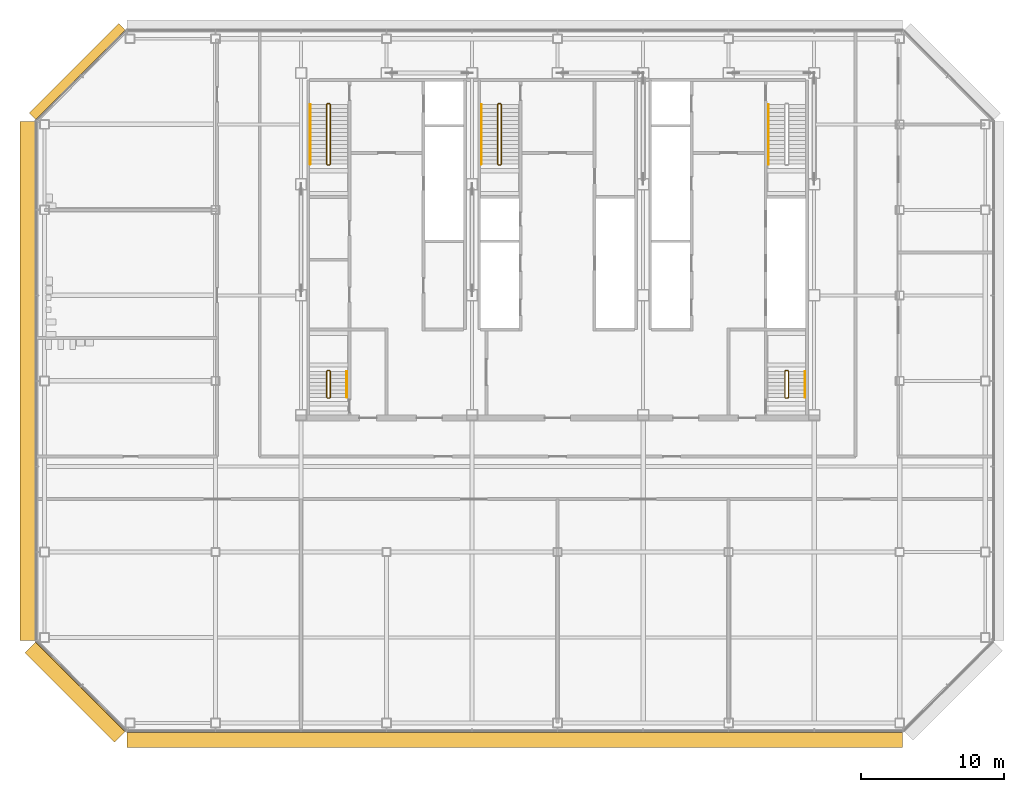
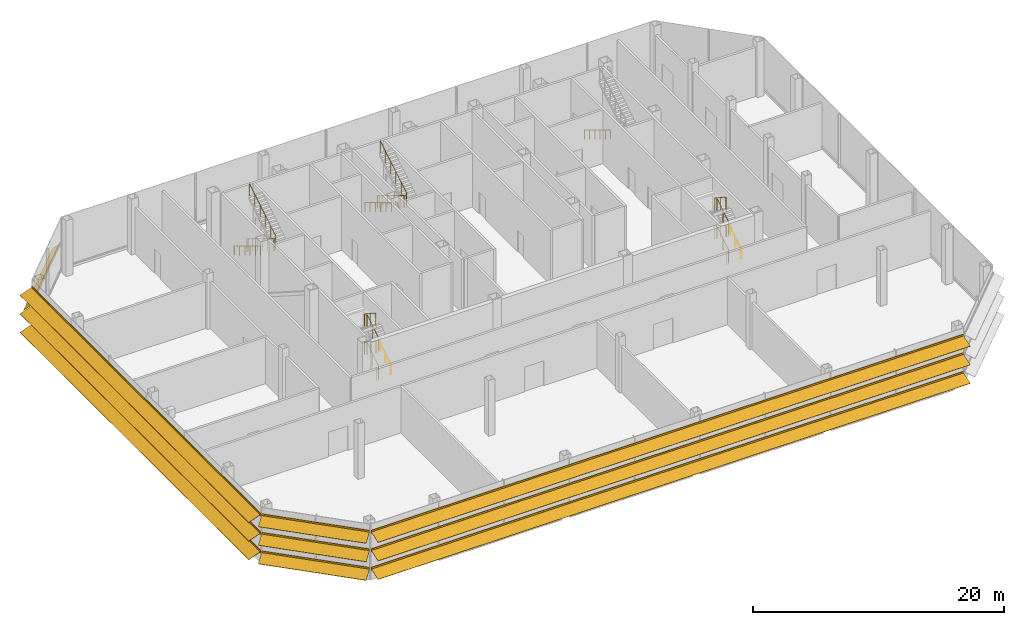
# One storey, part 23 of 25: 11 railings, 4 shading devices.
"""IFC4 building model written with IfcOpenShell, lengths in metres."""

import ifcopenshell
import ifcopenshell.guid

model = None  # the IFC model being written
_history = None  # IfcOwnerHistory: only IFC2X3 demands one
_inside = {}  # id of a spatial element -> (the spatial element, [elements in it])
_under = {}  # id of a project, library or spatial element -> (it, [spatial elements below it])
_declared = {}  # id of a project -> (the project, [libraries it declares])
_typed = {}  # id of a type object -> (the type object, [elements of that type])
_made_of = {}  # id of a material, layer set ... -> (it, [elements and type objects made of it])


def new_model(schema):
    """Start an empty IFC model of exactly this schema.

    Asked for "IFC4X3", IfcOpenShell would pick the latest addendum, in which some entities
    have other attributes; the version numbers below select the first issue.
    IFC2X3 requires an IfcOwnerHistory on every rooted entity: one is made here for all.
    """
    global model, _history
    if schema == "IFC4X3":
        model = ifcopenshell.file(schema_version=(4, 3, 0, 0))
    else:
        model = ifcopenshell.file(schema=schema)
    _inside.clear()
    _under.clear()
    _declared.clear()
    _typed.clear()
    _made_of.clear()
    _history = None
    if model.schema == "IFC2X3":
        org = make("IfcOrganization", Name="unknown")
        user = make(
            "IfcPersonAndOrganization",
            ThePerson=make("IfcPerson", FamilyName="unknown"),
            TheOrganization=org,
        )
        app = make(
            "IfcApplication",
            ApplicationDeveloper=org,
            Version="unknown",
            ApplicationFullName="unknown",
            ApplicationIdentifier="unknown",
        )
        _history = make(
            "IfcOwnerHistory",
            OwningUser=user,
            OwningApplication=app,
            ChangeAction="ADDED",
            CreationDate=0,
        )
    return model


def make(cls, **values):
    """One entity of the class cls with the attributes given. An attribute that is None is left unset."""
    return model.create_entity(
        cls, **{name: value for name, value in values.items() if value is not None}
    )


def rooted(cls, **values):
    """An entity with a GlobalId (a new one), such as an element, a storey or a relation."""
    return make(cls, GlobalId=ifcopenshell.guid.new(), OwnerHistory=_history, **values)


def si_unit(unit_type, name, prefix=None):
    """IfcSIUnit, for example si_unit("LENGTHUNIT", "METRE", prefix="MILLI")."""
    return make("IfcSIUnit", UnitType=unit_type, Prefix=prefix, Name=name)


def assignment(units):
    """IfcUnitAssignment: the units of a project."""
    return None if units is None else make("IfcUnitAssignment", Units=units)


def point(xyz):
    """IfcCartesianPoint."""
    return None if xyz is None else make("IfcCartesianPoint", Coordinates=xyz)


def direction(xyz):
    """IfcDirection."""
    return None if xyz is None else make("IfcDirection", DirectionRatios=xyz)


def frame(location, z_axis=None, x_axis=None):
    """IfcAxis2Placement3D, a coordinate frame: its origin and axes. An axis left out is left unset."""
    return make(
        "IfcAxis2Placement3D",
        Location=point(location),
        Axis=direction(z_axis),
        RefDirection=direction(x_axis),
    )


def frame_2d(location, x_axis=None):
    """IfcAxis2Placement2D, a coordinate frame in the plane: its origin and x axis."""
    return make(
        "IfcAxis2Placement2D", Location=point(location), RefDirection=direction(x_axis)
    )


def origin():
    """The frame at (0, 0, 0) with its axes left unset."""
    return frame((0.0, 0.0, 0.0))


def origin_2d():
    """The frame at (0, 0) in the plane with its x axis left unset."""
    return frame_2d((0.0, 0.0))


def place(relative_to, where):
    """IfcLocalPlacement: puts the frame where relative to a parent placement (None: the world)."""
    return make(
        "IfcLocalPlacement", PlacementRelTo=relative_to, RelativePlacement=where
    )


def context(
    kind, dimensions, precision=None, world=None, true_north=None, identifier=None
):
    """IfcGeometricRepresentationContext, for example the 3D "Model" context."""
    return make(
        "IfcGeometricRepresentationContext",
        ContextIdentifier=identifier,
        ContextType=kind,
        CoordinateSpaceDimension=dimensions,
        Precision=precision,
        WorldCoordinateSystem=world,
        TrueNorth=true_north,
    )


def subcontext(parent, identifier, kind, view, scale=None):
    """IfcGeometricRepresentationSubContext, for example "Body" below "Model"."""
    return make(
        "IfcGeometricRepresentationSubContext",
        ContextIdentifier=identifier,
        ContextType=kind,
        ParentContext=parent,
        TargetScale=scale,
        TargetView=view,
    )


def project(units=None, contexts=None):
    """IfcProject with its units and contexts."""
    return rooted(
        "IfcProject",
        Name="project",
        RepresentationContexts=contexts,
        UnitsInContext=assignment(units),
    )


def spatial(cls, under=None, at=None, **own):
    """A site, building, storey or space (cls), placed at a placement, below another one or the project."""
    s = rooted(cls, ObjectPlacement=at, **own)
    if under is not None:
        _under.setdefault(under.id(), (under, []))[1].append(s)
    return s


def polyline(points):
    """IfcPolyline through the points."""
    return make("IfcPolyline", Points=[point(p) for p in points])


def profile(cls, at=None, kind="AREA", **sizes):
    """A parametric profile (cls). Its sizes go by their IFC names, for example OverallWidth=200.0."""
    return make(cls, ProfileType=kind, Position=at, **sizes)


def circle(**sizes):
    """IfcCircleProfileDef."""
    return profile("IfcCircleProfileDef", **sizes)


def outline(outer, holes=None, kind="AREA"):
    """IfcArbitraryClosedProfileDef: a profile drawn as a closed curve; with holes, ...WithVoids."""
    if holes is None:
        return make("IfcArbitraryClosedProfileDef", ProfileType=kind, OuterCurve=outer)
    return make(
        "IfcArbitraryProfileDefWithVoids",
        ProfileType=kind,
        OuterCurve=outer,
        InnerCurves=holes,
    )


def composite_profile(profiles, kind="AREA"):
    """IfcCompositeProfileDef: several profiles as one."""
    return make("IfcCompositeProfileDef", ProfileType=kind, Profiles=profiles)


def extrude(swept, where, along, depth):
    """IfcExtrudedAreaSolid: the profile swept, set in the frame where, extruded along a direction by depth."""
    return make(
        "IfcExtrudedAreaSolid",
        SweptArea=swept,
        Position=where,
        ExtrudedDirection=direction(along),
        Depth=depth,
    )


def shape(context_of_items, identifier, shape_type, items):
    """IfcShapeRepresentation: the items that make up one representation, for example the "Body"."""
    return make(
        "IfcShapeRepresentation",
        ContextOfItems=context_of_items,
        RepresentationIdentifier=identifier,
        RepresentationType=shape_type,
        Items=items,
    )


def material(Name=None, Category=None):
    """IfcMaterial."""
    return make("IfcMaterial", Name=Name, Category=Category)


def made_of(thing, what):
    """Note that an element or type object is made of a material, layer set ...; save() writes the relation."""
    if what is not None:
        _made_of.setdefault(what.id(), (what, []))[1].append(thing)
    return thing


def type_object(cls, material=None, **own):
    """A type object (cls), such as IfcWallType, which elements share."""
    return made_of(rooted(cls, **own), material)


def element(
    cls,
    number,
    at=None,
    inside=None,
    cuts=None,
    type_object=None,
    material=None,
    context=None,
    identifier="Body",
    shape_type=None,
    held_by="IfcProductDefinitionShape",
    body=None,
    shapes=None,
    **own,
):
    """One element of the class cls, such as IfcWall. Its Tag is "e" and its number.

    at: its placement. inside: the storey or other place that contains it. cuts: it is an
    opening in that element (IfcRelVoidsElement). A single representation is given by context,
    identifier, shape_type and body (its items); several are given by shapes. held_by: the class
    of the entity that holds the representations. save() writes the other relations.
    """
    e = rooted(cls, Tag="e%d" % number, ObjectPlacement=at, **own)
    if body is not None:
        shapes = [shape(context, identifier, shape_type, body)]
    if shapes is not None:
        e.Representation = make(held_by, Representations=shapes)
    if inside is not None:
        _inside.setdefault(inside.id(), (inside, []))[1].append(e)
    if cuts is not None:
        rooted(
            "IfcRelVoidsElement", RelatingBuildingElement=cuts, RelatedOpeningElement=e
        )
    if type_object is not None:
        _typed.setdefault(type_object.id(), (type_object, []))[1].append(e)
    return made_of(e, material)


def aggregate(whole, parts):
    """IfcRelAggregates: a whole, such as a stair, and the parts it consists of."""
    return rooted("IfcRelAggregates", RelatingObject=whole, RelatedObjects=parts)


def save(model, path):
    """Write the relations noted so far, then the file.

    IfcRelAggregates (storeys below a building ...), IfcRelContainedInSpatialStructure (elements
    in a storey), IfcRelDefinesByType, IfcRelAssociatesMaterial and IfcRelDeclares: one each for
    every whole, place, type object, material and project.
    """
    for whole, parts in _under.values():
        aggregate(whole, parts)
    for where, things in _inside.values():
        rooted(
            "IfcRelContainedInSpatialStructure",
            RelatedElements=things,
            RelatingStructure=where,
        )
    for kind, things in _typed.values():
        rooted("IfcRelDefinesByType", RelatedObjects=things, RelatingType=kind)
    for what, things in _made_of.values():
        rooted("IfcRelAssociatesMaterial", RelatedObjects=things, RelatingMaterial=what)
    for by, libraries in _declared.values():
        rooted("IfcRelDeclares", RelatingContext=by, RelatedDefinitions=libraries)
    model.write(path)


model = new_model("IFC4")

# Units and contexts
model_context = context("Model", 3, precision=1e-05, world=origin(), true_north=direction((0.0, 1.0)))
body_context = subcontext(model_context, "Body", "Model", "MODEL_VIEW")
ifc_project = project(units=[si_unit("LENGTHUNIT", "METRE"), si_unit("AREAUNIT", "SQUARE_METRE"), si_unit("VOLUMEUNIT", "CUBIC_METRE"), si_unit("PLANEANGLEUNIT", "RADIAN"), si_unit("MASSUNIT", "GRAM", prefix="KILO")], contexts=[model_context])

# Site, building, storey
site_placement = place(None, origin())
site = spatial("IfcSite", under=ifc_project, at=site_placement, CompositionType="ELEMENT")
building_placement = place(site_placement, origin())
building = spatial("IfcBuilding", under=site, at=building_placement, Name="Sorahane Residences", CompositionType="ELEMENT")
storey_placement = place(building_placement, frame((0.0, 0.0, 210.0)))
storey = spatial("IfcBuildingStorey", under=building, at=storey_placement, Name="L49", CompositionType="ELEMENT", Elevation=210.0)

# Shading devices
ifc_material_1 = material(Name="Terracotta anodised aluminium", Category="masonry")
shading_device_type_1 = type_object("IfcShadingDeviceType", Name="Louvre sunshade blade NW terracotta aluminium 700", PredefinedType="JALOUSIE", material=ifc_material_1)
shading_device_1_placement = place(storey_placement, frame((-6.283935546875, 48.564697265625, 2.699951171875), z_axis=(-0.707106781187, -0.707106781187, 0.0), x_axis=(0.707106781187, -0.707106781187, 0.0)))
element("IfcShadingDevice", 1, at=shading_device_1_placement, inside=storey, type_object=shading_device_type_1, Name="Louvre sunshade blade bank NW L49 NW1", PredefinedType="JALOUSIE", context=body_context, shape_type="SweptSolid", body=[
    extrude(outline(polyline([(-0.719970703125, -0.660888671875), (-0.719970703125, -0.69091796875), (-0.080078125, -0.072998046875), (-0.080078125, -0.14990234375), (-0.02001953125, -0.14990234375), (-0.02001953125, -0.014892578125), (-0.02001953125, 0.014892578125), (-0.02001953125, 0.14990234375), (-0.080078125, 0.14990234375), (-0.080078125, -0.04296875), (-0.719970703125, -0.660888671875)])), origin(), (0.0, 0.0, 1.0), 8.88232421875),
])
ifc_material_2 = material(Name="Terracotta anodised aluminium", Category="masonry")
shading_device_type_2 = type_object("IfcShadingDeviceType", Name="Louvre sunshade blade S terracotta aluminium 1100", PredefinedType="JALOUSIE", material=ifc_material_2)
shading_device_2_placement = place(storey_placement, frame((-6.198486328125, -0.60009765625, 0.89990234375), z_axis=(1.0, 0.0, 0.0), x_axis=(0.0, 1.0, 0.0)))
element("IfcShadingDevice", 2, at=shading_device_2_placement, inside=storey, type_object=shading_device_type_2, Name="Louvre sunshade blade bank S L49 S1", PredefinedType="JALOUSIE", context=body_context, shape_type="SweptSolid", body=[
    extrude(composite_profile([outline(polyline([(-1.1201171875, -0.385498046875), (-1.1201171875, -0.415283203125), (-0.080078125, -0.036865234375), (-0.080078125, -0.14990234375), (-0.02001953125, -0.14990234375), (-0.02001953125, -0.014892578125), (-0.02001953125, 0.014892578125), (-0.02001953125, 0.14990234375), (-0.080078125, 0.14990234375), (-0.080078125, -0.0068359375), (-1.1201171875, -0.385498046875)])), outline(polyline([(-1.1201171875, 1.41455078125), (-1.1201171875, 1.384521484375), (-0.080078125, 1.76318359375), (-0.080078125, 1.64990234375), (-0.02001953125, 1.64990234375), (-0.02001953125, 1.784912109375), (-0.02001953125, 1.81494140625), (-0.02001953125, 1.949951171875), (-0.080078125, 1.949951171875), (-0.080078125, 1.793212890625), (-1.1201171875, 1.41455078125)])), outline(polyline([(-1.1201171875, 3.214599609375), (-1.1201171875, 3.1845703125), (-0.080078125, 3.563232421875), (-0.080078125, 3.449951171875), (-0.02001953125, 3.449951171875), (-0.02001953125, 3.5849609375), (-0.02001953125, 3.614990234375), (-0.02001953125, 3.75), (-0.080078125, 3.75), (-0.080078125, 3.59326171875), (-1.1201171875, 3.214599609375)]))]), origin(), (0.0, 0.0, 1.0), 54.39697265625),
])
ifc_material_3 = material(Name="Terracotta anodised aluminium", Category="masonry")
shading_device_type_3 = type_object("IfcShadingDeviceType", Name="Louvre sunshade blade SW terracotta aluminium 1100", PredefinedType="JALOUSIE", material=ifc_material_3)
shading_device_3_placement = place(storey_placement, frame((-12.564697265625, 5.716064453125, 0.89990234375), z_axis=(0.707106781187, -0.707106781187, 0.0), x_axis=(0.707106781187, 0.707106781187, 0.0)))
element("IfcShadingDevice", 3, at=shading_device_3_placement, inside=storey, type_object=shading_device_type_3, Name="Louvre sunshade blade bank SW L49 SW1", PredefinedType="JALOUSIE", context=body_context, shape_type="SweptSolid", body=[
    extrude(composite_profile([outline(polyline([(-1.1201171875, -0.385498046875), (-1.1201171875, -0.415283203125), (-0.080078125, -0.036865234375), (-0.080078125, -0.14990234375), (-0.02001953125, -0.14990234375), (-0.02001953125, -0.014892578125), (-0.02001953125, 0.014892578125), (-0.02001953125, 0.14990234375), (-0.080078125, 0.14990234375), (-0.080078125, -0.0068359375), (-1.1201171875, -0.385498046875)])), outline(polyline([(-1.1201171875, 1.41455078125), (-1.1201171875, 1.384521484375), (-0.080078125, 1.76318359375), (-0.080078125, 1.64990234375), (-0.02001953125, 1.64990234375), (-0.02001953125, 1.784912109375), (-0.02001953125, 1.81494140625), (-0.02001953125, 1.949951171875), (-0.080078125, 1.949951171875), (-0.080078125, 1.793212890625), (-1.1201171875, 1.41455078125)])), outline(polyline([(-1.1201171875, 3.214599609375), (-1.1201171875, 3.1845703125), (-0.080078125, 3.563232421875), (-0.080078125, 3.449951171875), (-0.02001953125, 3.449951171875), (-0.02001953125, 3.5849609375), (-0.02001953125, 3.614990234375), (-0.02001953125, 3.75), (-0.080078125, 3.75), (-0.080078125, 3.59326171875), (-1.1201171875, 3.214599609375)]))]), origin(), (0.0, 0.0, 1.0), 8.88232421875),
])
ifc_material_4 = material(Name="Terracotta anodised aluminium", Category="masonry")
shading_device_type_4 = type_object("IfcShadingDeviceType", Name="Louvre sunshade blade W terracotta aluminium 1100", PredefinedType="JALOUSIE", material=ifc_material_4)
shading_device_4_placement = place(storey_placement, frame((-12.60009765625, 42.198486328125, 0.89990234375), z_axis=(0.0, -1.0, 0.0), x_axis=(1.0, 0.0, 0.0)))
element("IfcShadingDevice", 4, at=shading_device_4_placement, inside=storey, type_object=shading_device_type_4, Name="Louvre sunshade blade bank W L49 W1", PredefinedType="JALOUSIE", context=body_context, shape_type="SweptSolid", body=[
    extrude(composite_profile([outline(polyline([(-1.1201171875, -0.385498046875), (-1.1201171875, -0.415283203125), (-0.080078125, -0.036865234375), (-0.080078125, -0.14990234375), (-0.02001953125, -0.14990234375), (-0.02001953125, -0.014892578125), (-0.02001953125, 0.014892578125), (-0.02001953125, 0.14990234375), (-0.080078125, 0.14990234375), (-0.080078125, -0.0068359375), (-1.1201171875, -0.385498046875)])), outline(polyline([(-1.1201171875, 1.41455078125), (-1.1201171875, 1.384521484375), (-0.080078125, 1.76318359375), (-0.080078125, 1.64990234375), (-0.02001953125, 1.64990234375), (-0.02001953125, 1.784912109375), (-0.02001953125, 1.81494140625), (-0.02001953125, 1.949951171875), (-0.080078125, 1.949951171875), (-0.080078125, 1.793212890625), (-1.1201171875, 1.41455078125)])), outline(polyline([(-1.1201171875, 3.214599609375), (-1.1201171875, 3.1845703125), (-0.080078125, 3.563232421875), (-0.080078125, 3.449951171875), (-0.02001953125, 3.449951171875), (-0.02001953125, 3.5849609375), (-0.02001953125, 3.614990234375), (-0.02001953125, 3.75), (-0.080078125, 3.75), (-0.080078125, 3.59326171875), (-1.1201171875, 3.214599609375)]))]), origin(), (0.0, 0.0, 1.0), 36.39697265625),
])

# Railings
ifc_material_5 = material(Name="Steel Q355B", Category="steel")
railing_type_1 = type_object("IfcRailingType", Name="Stair guard 1200 Steel Q355B", PredefinedType="GUARDRAIL", material=ifc_material_5)
railing_1_placement = place(storey_placement, frame((8.0, 43.449951171875, 0.0)))
element("IfcRailing", 5, at=railing_1_placement, inside=storey, type_object=railing_type_1, Name="L49 S1 stair guard 1", PredefinedType="GUARDRAIL", context=body_context, shape_type="SweptSolid", body=[
    extrude(circle(Radius=0.02392578125, at=origin_2d()), frame((0.0, 0.0, 1.17578125), z_axis=(-1.0, 0.0, 0.0), x_axis=(0.0, -1.0, 0.0)), (0.0, 0.0, 1.0), 0.14990234375),
    extrude(circle(Radius=0.02392578125, at=origin_2d()), frame((-0.14990234375, 0.0, 1.17578125), z_axis=(-0.273569069059, -0.273569069059, 0.922127935218), x_axis=(0.707106781187, -0.707106781187, 0.0)), (0.0, 0.0, 1.0), 0.182861328125),
    extrude(circle(Radius=0.02392578125, at=origin_2d()), frame((-0.199951171875, -0.050048828125, 1.3447265625), z_axis=(0.0, -0.856476492594, 0.516186030065), x_axis=(1.0, 0.0, 0.0)), (0.0, 0.0, 1.0), 4.90380859375),
    extrude(circle(Radius=0.02392578125, at=origin_2d()), frame((-0.199951171875, -4.25, 3.8759765625), z_axis=(0.707106781187, -0.707106781187, 0.0), x_axis=(0.707106781187, 0.707106781187, 0.0)), (0.0, 0.0, 1.0), 0.07080078125),
    extrude(circle(Radius=0.02392578125, at=origin_2d()), frame((-0.14990234375, -4.300048828125, 3.8759765625), z_axis=(1.0, 0.0, 0.0), x_axis=(0.0, 1.0, 0.0)), (0.0, 0.0, 1.0), 0.14990234375),
    extrude(circle(Radius=0.02392578125, at=origin_2d()), frame((0.0, -4.300048828125, 3.8759765625), z_axis=(0.273569069059, 0.273569069059, 0.922127935218), x_axis=(-0.707106781187, 0.707106781187, 0.0)), (0.0, 0.0, 1.0), 0.182861328125),
    extrude(circle(Radius=0.02392578125, at=origin_2d()), frame((0.050048828125, -4.25, 4.04443359375), z_axis=(0.0, 0.856476492594, 0.516186030065), x_axis=(-1.0, 0.0, 0.0)), (0.0, 0.0, 1.0), 4.90380859375),
    extrude(circle(Radius=0.02099609375, at=origin_2d()), origin(), (0.0, 0.0, 1.0), 1.15185546875),
    extrude(circle(Radius=0.02099609375, at=origin_2d()), frame((-0.14990234375, 0.0, 0.0)), (0.0, 0.0, 1.0), 1.15185546875),
    extrude(circle(Radius=0.02099609375, at=origin_2d()), frame((-0.199951171875, -0.050048828125, 0.168701171875)), (0.0, 0.0, 1.0), 1.15185546875),
    extrude(circle(Radius=0.02099609375, at=origin_2d()), frame((-0.199951171875, -0.89013671875, 0.675048828125)), (0.0, 0.0, 1.0), 1.15185546875),
    extrude(circle(Radius=0.02099609375, at=origin_2d()), frame((-0.199951171875, -1.72998046875, 1.18115234375)), (0.0, 0.0, 1.0), 1.15185546875),
    extrude(circle(Radius=0.02099609375, at=origin_2d()), frame((-0.199951171875, -2.570068359375, 1.6875)), (0.0, 0.0, 1.0), 1.15185546875),
    extrude(circle(Radius=0.02099609375, at=origin_2d()), frame((-0.199951171875, -3.409912109375, 2.193603515625)), (0.0, 0.0, 1.0), 1.15185546875),
    extrude(circle(Radius=0.02099609375, at=origin_2d()), frame((-0.199951171875, -4.25, 2.699951171875)), (0.0, 0.0, 1.0), 1.15185546875),
    extrude(circle(Radius=0.02099609375, at=origin_2d()), frame((-0.14990234375, -4.300048828125, 2.699951171875)), (0.0, 0.0, 1.0), 1.15185546875),
    extrude(circle(Radius=0.02099609375, at=origin_2d()), frame((0.0, -4.300048828125, 2.699951171875)), (0.0, 0.0, 1.0), 1.15185546875),
    extrude(circle(Radius=0.02099609375, at=origin_2d()), frame((0.050048828125, -4.25, 2.86865234375)), (0.0, 0.0, 1.0), 1.15185546875),
    extrude(circle(Radius=0.02099609375, at=origin_2d()), frame((0.050048828125, -3.409912109375, 3.375)), (0.0, 0.0, 1.0), 1.15185546875),
    extrude(circle(Radius=0.02099609375, at=origin_2d()), frame((0.050048828125, -2.570068359375, 3.881103515625)), (0.0, 0.0, 1.0), 1.15185546875),
    extrude(circle(Radius=0.02099609375, at=origin_2d()), frame((0.050048828125, -1.72998046875, 4.387451171875)), (0.0, 0.0, 1.0), 1.15185546875),
    extrude(circle(Radius=0.02099609375, at=origin_2d()), frame((0.050048828125, -0.89013671875, 4.8935546875)), (0.0, 0.0, 1.0), 1.15185546875),
    extrude(circle(Radius=0.02099609375, at=origin_2d()), frame((0.050048828125, -0.050048828125, 5.39990234375)), (0.0, 0.0, 1.0), 1.15185546875),
])
railing_2_placement = place(storey_placement, frame((20.0, 43.449951171875, 0.0)))
element("IfcRailing", 6, at=railing_2_placement, inside=storey, type_object=railing_type_1, Name="L49 S3 stair guard 1", PredefinedType="GUARDRAIL", context=body_context, shape_type="SweptSolid", body=[
    extrude(circle(Radius=0.02392578125, at=origin_2d()), frame((0.0, 0.0, 1.17578125), z_axis=(-1.0, 0.0, 0.0), x_axis=(0.0, -1.0, 0.0)), (0.0, 0.0, 1.0), 0.14990234375),
    extrude(circle(Radius=0.02392578125, at=origin_2d()), frame((-0.14990234375, 0.0, 1.17578125), z_axis=(-0.273569069059, -0.273569069059, 0.922127935218), x_axis=(0.707106781187, -0.707106781187, 0.0)), (0.0, 0.0, 1.0), 0.182861328125),
    extrude(circle(Radius=0.02392578125, at=origin_2d()), frame((-0.199951171875, -0.050048828125, 1.3447265625), z_axis=(0.0, -0.856476492594, 0.516186030065), x_axis=(1.0, 0.0, 0.0)), (0.0, 0.0, 1.0), 4.90380859375),
    extrude(circle(Radius=0.02392578125, at=origin_2d()), frame((-0.199951171875, -4.25, 3.8759765625), z_axis=(0.707106781187, -0.707106781187, 0.0), x_axis=(0.707106781187, 0.707106781187, 0.0)), (0.0, 0.0, 1.0), 0.07080078125),
    extrude(circle(Radius=0.02392578125, at=origin_2d()), frame((-0.14990234375, -4.300048828125, 3.8759765625), z_axis=(1.0, 0.0, 0.0), x_axis=(0.0, 1.0, 0.0)), (0.0, 0.0, 1.0), 0.14990234375),
    extrude(circle(Radius=0.02392578125, at=origin_2d()), frame((0.0, -4.300048828125, 3.8759765625), z_axis=(0.273569069059, 0.273569069059, 0.922127935218), x_axis=(-0.707106781187, 0.707106781187, 0.0)), (0.0, 0.0, 1.0), 0.182861328125),
    extrude(circle(Radius=0.02392578125, at=origin_2d()), frame((0.050048828125, -4.25, 4.04443359375), z_axis=(0.0, 0.856476492594, 0.516186030065), x_axis=(-1.0, 0.0, 0.0)), (0.0, 0.0, 1.0), 4.90380859375),
    extrude(circle(Radius=0.02099609375, at=origin_2d()), origin(), (0.0, 0.0, 1.0), 1.15185546875),
    extrude(circle(Radius=0.02099609375, at=origin_2d()), frame((-0.14990234375, 0.0, 0.0)), (0.0, 0.0, 1.0), 1.15185546875),
    extrude(circle(Radius=0.02099609375, at=origin_2d()), frame((-0.199951171875, -0.050048828125, 0.168701171875)), (0.0, 0.0, 1.0), 1.15185546875),
    extrude(circle(Radius=0.02099609375, at=origin_2d()), frame((-0.199951171875, -0.89013671875, 0.675048828125)), (0.0, 0.0, 1.0), 1.15185546875),
    extrude(circle(Radius=0.02099609375, at=origin_2d()), frame((-0.199951171875, -1.72998046875, 1.18115234375)), (0.0, 0.0, 1.0), 1.15185546875),
    extrude(circle(Radius=0.02099609375, at=origin_2d()), frame((-0.199951171875, -2.570068359375, 1.6875)), (0.0, 0.0, 1.0), 1.15185546875),
    extrude(circle(Radius=0.02099609375, at=origin_2d()), frame((-0.199951171875, -3.409912109375, 2.193603515625)), (0.0, 0.0, 1.0), 1.15185546875),
    extrude(circle(Radius=0.02099609375, at=origin_2d()), frame((-0.199951171875, -4.25, 2.699951171875)), (0.0, 0.0, 1.0), 1.15185546875),
    extrude(circle(Radius=0.02099609375, at=origin_2d()), frame((-0.14990234375, -4.300048828125, 2.699951171875)), (0.0, 0.0, 1.0), 1.15185546875),
    extrude(circle(Radius=0.02099609375, at=origin_2d()), frame((0.0, -4.300048828125, 2.699951171875)), (0.0, 0.0, 1.0), 1.15185546875),
    extrude(circle(Radius=0.02099609375, at=origin_2d()), frame((0.050048828125, -4.25, 2.86865234375)), (0.0, 0.0, 1.0), 1.15185546875),
    extrude(circle(Radius=0.02099609375, at=origin_2d()), frame((0.050048828125, -3.409912109375, 3.375)), (0.0, 0.0, 1.0), 1.15185546875),
    extrude(circle(Radius=0.02099609375, at=origin_2d()), frame((0.050048828125, -2.570068359375, 3.881103515625)), (0.0, 0.0, 1.0), 1.15185546875),
    extrude(circle(Radius=0.02099609375, at=origin_2d()), frame((0.050048828125, -1.72998046875, 4.387451171875)), (0.0, 0.0, 1.0), 1.15185546875),
    extrude(circle(Radius=0.02099609375, at=origin_2d()), frame((0.050048828125, -0.89013671875, 4.8935546875)), (0.0, 0.0, 1.0), 1.15185546875),
    extrude(circle(Radius=0.02099609375, at=origin_2d()), frame((0.050048828125, -0.050048828125, 5.39990234375)), (0.0, 0.0, 1.0), 1.15185546875),
])
railing_3_placement = place(storey_placement, frame((7.85009765625, 22.800048828125, 0.0)))
element("IfcRailing", 7, at=railing_3_placement, inside=storey, type_object=railing_type_1, Name="L49 S4 stair guard 1", PredefinedType="GUARDRAIL", context=body_context, shape_type="SweptSolid", body=[
    extrude(circle(Radius=0.02392578125, at=origin_2d()), frame((0.0, 0.0, 1.17578125), z_axis=(1.0, 0.0, 0.0), x_axis=(0.0, 1.0, 0.0)), (0.0, 0.0, 1.0), 0.14990234375),
    extrude(circle(Radius=0.02392578125, at=origin_2d()), frame((0.14990234375, 0.0, 1.17578125), z_axis=(0.273569069059, 0.273569069059, 0.922127935218), x_axis=(-0.707106781187, 0.707106781187, 0.0)), (0.0, 0.0, 1.0), 0.182861328125),
    extrude(circle(Radius=0.02392578125, at=origin_2d()), frame((0.199951171875, 0.050048828125, 1.3447265625), z_axis=(0.0, 0.838757122003, 0.544505730262), x_axis=(-1.0, 0.0, 0.0)), (0.0, 0.0, 1.0), 2.169677734375),
    extrude(circle(Radius=0.02392578125, at=origin_2d()), frame((0.199951171875, 1.869873046875, 2.52587890625), z_axis=(-0.707106781187, 0.707106781187, 0.0), x_axis=(-0.707106781187, -0.707106781187, 0.0)), (0.0, 0.0, 1.0), 0.07080078125),
    extrude(circle(Radius=0.02392578125, at=origin_2d()), frame((0.14990234375, 1.919921875, 2.52587890625), z_axis=(-1.0, 0.0, 0.0), x_axis=(0.0, -1.0, 0.0)), (0.0, 0.0, 1.0), 0.14990234375),
    extrude(circle(Radius=0.02392578125, at=origin_2d()), frame((0.0, 1.919921875, 2.52587890625), z_axis=(-0.273569069059, -0.273569069059, 0.922127935218), x_axis=(0.707106781187, -0.707106781187, 0.0)), (0.0, 0.0, 1.0), 0.182861328125),
    extrude(circle(Radius=0.02392578125, at=origin_2d()), frame((-0.050048828125, 1.869873046875, 2.69482421875), z_axis=(0.0, -0.838808512231, 0.544426560528), x_axis=(1.0, 0.0, 0.0)), (0.0, 0.0, 1.0), 2.16943359375),
    extrude(circle(Radius=0.02099609375, at=origin_2d()), origin(), (0.0, 0.0, 1.0), 1.15185546875),
    extrude(circle(Radius=0.02099609375, at=origin_2d()), frame((0.14990234375, 0.0, 0.0)), (0.0, 0.0, 1.0), 1.15185546875),
    extrude(circle(Radius=0.02099609375, at=origin_2d()), frame((0.199951171875, 0.050048828125, 0.168701171875)), (0.0, 0.0, 1.0), 1.15185546875),
    extrude(circle(Radius=0.02099609375, at=origin_2d()), frame((0.199951171875, 0.9599609375, 0.75927734375)), (0.0, 0.0, 1.0), 1.15185546875),
    extrude(circle(Radius=0.02099609375, at=origin_2d()), frame((0.199951171875, 1.869873046875, 1.35009765625)), (0.0, 0.0, 1.0), 1.15185546875),
    extrude(circle(Radius=0.02099609375, at=origin_2d()), frame((0.14990234375, 1.919921875, 1.35009765625)), (0.0, 0.0, 1.0), 1.15185546875),
    extrude(circle(Radius=0.02099609375, at=origin_2d()), frame((0.0, 1.919921875, 1.35009765625)), (0.0, 0.0, 1.0), 1.15185546875),
    extrude(circle(Radius=0.02099609375, at=origin_2d()), frame((-0.050048828125, 1.869873046875, 1.518798828125)), (0.0, 0.0, 1.0), 1.15185546875),
    extrude(circle(Radius=0.02099609375, at=origin_2d()), frame((-0.050048828125, 0.9599609375, 2.109375)), (0.0, 0.0, 1.0), 1.15185546875),
    extrude(circle(Radius=0.02099609375, at=origin_2d()), frame((-0.050048828125, 0.050048828125, 2.699951171875)), (0.0, 0.0, 1.0), 1.15185546875),
])
railing_4_placement = place(storey_placement, frame((7.85009765625, 22.800048828125, 2.699951171875)))
element("IfcRailing", 8, at=railing_4_placement, inside=storey, type_object=railing_type_1, Name="L49 S4 stair guard 2", PredefinedType="GUARDRAIL", context=body_context, shape_type="SweptSolid", body=[
    extrude(circle(Radius=0.02392578125, at=origin_2d()), frame((0.0, 0.0, 1.17578125), z_axis=(1.0, 0.0, 0.0), x_axis=(0.0, 1.0, 0.0)), (0.0, 0.0, 1.0), 0.14990234375),
    extrude(circle(Radius=0.02392578125, at=origin_2d()), frame((0.14990234375, 0.0, 1.17578125), z_axis=(0.273569069059, 0.273569069059, 0.922127935218), x_axis=(-0.707106781187, 0.707106781187, 0.0)), (0.0, 0.0, 1.0), 0.182861328125),
    extrude(circle(Radius=0.02392578125, at=origin_2d()), frame((0.199951171875, 0.050048828125, 1.3447265625), z_axis=(0.0, 0.838757122003, 0.544505730262), x_axis=(-1.0, 0.0, 0.0)), (0.0, 0.0, 1.0), 2.169677734375),
    extrude(circle(Radius=0.02392578125, at=origin_2d()), frame((0.199951171875, 1.869873046875, 2.52587890625), z_axis=(-0.707106781187, 0.707106781187, 0.0), x_axis=(-0.707106781187, -0.707106781187, 0.0)), (0.0, 0.0, 1.0), 0.07080078125),
    extrude(circle(Radius=0.02392578125, at=origin_2d()), frame((0.14990234375, 1.919921875, 2.52587890625), z_axis=(-1.0, 0.0, 0.0), x_axis=(0.0, -1.0, 0.0)), (0.0, 0.0, 1.0), 0.14990234375),
    extrude(circle(Radius=0.02392578125, at=origin_2d()), frame((0.0, 1.919921875, 2.52587890625), z_axis=(-0.273569069059, -0.273569069059, 0.922127935218), x_axis=(0.707106781187, -0.707106781187, 0.0)), (0.0, 0.0, 1.0), 0.182861328125),
    extrude(circle(Radius=0.02392578125, at=origin_2d()), frame((-0.050048828125, 1.869873046875, 2.69482421875), z_axis=(0.0, -0.838808512231, 0.544426560528), x_axis=(1.0, 0.0, 0.0)), (0.0, 0.0, 1.0), 2.16943359375),
    extrude(circle(Radius=0.02099609375, at=origin_2d()), origin(), (0.0, 0.0, 1.0), 1.15185546875),
    extrude(circle(Radius=0.02099609375, at=origin_2d()), frame((0.14990234375, 0.0, 0.0)), (0.0, 0.0, 1.0), 1.15185546875),
    extrude(circle(Radius=0.02099609375, at=origin_2d()), frame((0.199951171875, 0.050048828125, 0.168701171875)), (0.0, 0.0, 1.0), 1.15185546875),
    extrude(circle(Radius=0.02099609375, at=origin_2d()), frame((0.199951171875, 0.9599609375, 0.75927734375)), (0.0, 0.0, 1.0), 1.15185546875),
    extrude(circle(Radius=0.02099609375, at=origin_2d()), frame((0.199951171875, 1.869873046875, 1.35009765625)), (0.0, 0.0, 1.0), 1.15185546875),
    extrude(circle(Radius=0.02099609375, at=origin_2d()), frame((0.14990234375, 1.919921875, 1.35009765625)), (0.0, 0.0, 1.0), 1.15185546875),
    extrude(circle(Radius=0.02099609375, at=origin_2d()), frame((0.0, 1.919921875, 1.35009765625)), (0.0, 0.0, 1.0), 1.15185546875),
    extrude(circle(Radius=0.02099609375, at=origin_2d()), frame((-0.050048828125, 1.869873046875, 1.518798828125)), (0.0, 0.0, 1.0), 1.15185546875),
    extrude(circle(Radius=0.02099609375, at=origin_2d()), frame((-0.050048828125, 0.9599609375, 2.109375)), (0.0, 0.0, 1.0), 1.15185546875),
    extrude(circle(Radius=0.02099609375, at=origin_2d()), frame((-0.050048828125, 0.050048828125, 2.699951171875)), (0.0, 0.0, 1.0), 1.15185546875),
])
railing_5_placement = place(storey_placement, frame((40.0, 22.800048828125, 0.0)))
element("IfcRailing", 9, at=railing_5_placement, inside=storey, type_object=railing_type_1, Name="L49 S5 stair guard 1", PredefinedType="GUARDRAIL", context=body_context, shape_type="SweptSolid", body=[
    extrude(circle(Radius=0.02392578125, at=origin_2d()), frame((0.0, 0.0, 1.17578125), z_axis=(1.0, 0.0, 0.0), x_axis=(0.0, 1.0, 0.0)), (0.0, 0.0, 1.0), 0.14990234375),
    extrude(circle(Radius=0.02392578125, at=origin_2d()), frame((0.14990234375, 0.0, 1.17578125), z_axis=(0.273569069059, 0.273569069059, 0.922127935218), x_axis=(-0.707106781187, 0.707106781187, 0.0)), (0.0, 0.0, 1.0), 0.182861328125),
    extrude(circle(Radius=0.02392578125, at=origin_2d()), frame((0.199951171875, 0.050048828125, 1.3447265625), z_axis=(0.0, 0.838757122003, 0.544505730262), x_axis=(-1.0, 0.0, 0.0)), (0.0, 0.0, 1.0), 2.169677734375),
    extrude(circle(Radius=0.02392578125, at=origin_2d()), frame((0.199951171875, 1.869873046875, 2.52587890625), z_axis=(-0.707106781187, 0.707106781187, 0.0), x_axis=(-0.707106781187, -0.707106781187, 0.0)), (0.0, 0.0, 1.0), 0.07080078125),
    extrude(circle(Radius=0.02392578125, at=origin_2d()), frame((0.14990234375, 1.919921875, 2.52587890625), z_axis=(-1.0, 0.0, 0.0), x_axis=(0.0, -1.0, 0.0)), (0.0, 0.0, 1.0), 0.14990234375),
    extrude(circle(Radius=0.02392578125, at=origin_2d()), frame((0.0, 1.919921875, 2.52587890625), z_axis=(-0.273569069059, -0.273569069059, 0.922127935218), x_axis=(0.707106781187, -0.707106781187, 0.0)), (0.0, 0.0, 1.0), 0.182861328125),
    extrude(circle(Radius=0.02392578125, at=origin_2d()), frame((-0.050048828125, 1.869873046875, 2.69482421875), z_axis=(0.0, -0.838808512231, 0.544426560528), x_axis=(1.0, 0.0, 0.0)), (0.0, 0.0, 1.0), 2.16943359375),
    extrude(circle(Radius=0.02099609375, at=origin_2d()), origin(), (0.0, 0.0, 1.0), 1.15185546875),
    extrude(circle(Radius=0.02099609375, at=origin_2d()), frame((0.14990234375, 0.0, 0.0)), (0.0, 0.0, 1.0), 1.15185546875),
    extrude(circle(Radius=0.02099609375, at=origin_2d()), frame((0.199951171875, 0.050048828125, 0.168701171875)), (0.0, 0.0, 1.0), 1.15185546875),
    extrude(circle(Radius=0.02099609375, at=origin_2d()), frame((0.199951171875, 0.9599609375, 0.75927734375)), (0.0, 0.0, 1.0), 1.15185546875),
    extrude(circle(Radius=0.02099609375, at=origin_2d()), frame((0.199951171875, 1.869873046875, 1.35009765625)), (0.0, 0.0, 1.0), 1.15185546875),
    extrude(circle(Radius=0.02099609375, at=origin_2d()), frame((0.14990234375, 1.919921875, 1.35009765625)), (0.0, 0.0, 1.0), 1.15185546875),
    extrude(circle(Radius=0.02099609375, at=origin_2d()), frame((0.0, 1.919921875, 1.35009765625)), (0.0, 0.0, 1.0), 1.15185546875),
    extrude(circle(Radius=0.02099609375, at=origin_2d()), frame((-0.050048828125, 1.869873046875, 1.518798828125)), (0.0, 0.0, 1.0), 1.15185546875),
    extrude(circle(Radius=0.02099609375, at=origin_2d()), frame((-0.050048828125, 0.9599609375, 2.109375)), (0.0, 0.0, 1.0), 1.15185546875),
    extrude(circle(Radius=0.02099609375, at=origin_2d()), frame((-0.050048828125, 0.050048828125, 2.699951171875)), (0.0, 0.0, 1.0), 1.15185546875),
])
railing_6_placement = place(storey_placement, frame((40.0, 22.800048828125, 2.699951171875)))
element("IfcRailing", 10, at=railing_6_placement, inside=storey, type_object=railing_type_1, Name="L49 S5 stair guard 2", PredefinedType="GUARDRAIL", context=body_context, shape_type="SweptSolid", body=[
    extrude(circle(Radius=0.02392578125, at=origin_2d()), frame((0.0, 0.0, 1.17578125), z_axis=(1.0, 0.0, 0.0), x_axis=(0.0, 1.0, 0.0)), (0.0, 0.0, 1.0), 0.14990234375),
    extrude(circle(Radius=0.02392578125, at=origin_2d()), frame((0.14990234375, 0.0, 1.17578125), z_axis=(0.273569069059, 0.273569069059, 0.922127935218), x_axis=(-0.707106781187, 0.707106781187, 0.0)), (0.0, 0.0, 1.0), 0.182861328125),
    extrude(circle(Radius=0.02392578125, at=origin_2d()), frame((0.199951171875, 0.050048828125, 1.3447265625), z_axis=(0.0, 0.838757122003, 0.544505730262), x_axis=(-1.0, 0.0, 0.0)), (0.0, 0.0, 1.0), 2.169677734375),
    extrude(circle(Radius=0.02392578125, at=origin_2d()), frame((0.199951171875, 1.869873046875, 2.52587890625), z_axis=(-0.707106781187, 0.707106781187, 0.0), x_axis=(-0.707106781187, -0.707106781187, 0.0)), (0.0, 0.0, 1.0), 0.07080078125),
    extrude(circle(Radius=0.02392578125, at=origin_2d()), frame((0.14990234375, 1.919921875, 2.52587890625), z_axis=(-1.0, 0.0, 0.0), x_axis=(0.0, -1.0, 0.0)), (0.0, 0.0, 1.0), 0.14990234375),
    extrude(circle(Radius=0.02392578125, at=origin_2d()), frame((0.0, 1.919921875, 2.52587890625), z_axis=(-0.273569069059, -0.273569069059, 0.922127935218), x_axis=(0.707106781187, -0.707106781187, 0.0)), (0.0, 0.0, 1.0), 0.182861328125),
    extrude(circle(Radius=0.02392578125, at=origin_2d()), frame((-0.050048828125, 1.869873046875, 2.69482421875), z_axis=(0.0, -0.838808512231, 0.544426560528), x_axis=(1.0, 0.0, 0.0)), (0.0, 0.0, 1.0), 2.16943359375),
    extrude(circle(Radius=0.02099609375, at=origin_2d()), origin(), (0.0, 0.0, 1.0), 1.15185546875),
    extrude(circle(Radius=0.02099609375, at=origin_2d()), frame((0.14990234375, 0.0, 0.0)), (0.0, 0.0, 1.0), 1.15185546875),
    extrude(circle(Radius=0.02099609375, at=origin_2d()), frame((0.199951171875, 0.050048828125, 0.168701171875)), (0.0, 0.0, 1.0), 1.15185546875),
    extrude(circle(Radius=0.02099609375, at=origin_2d()), frame((0.199951171875, 0.9599609375, 0.75927734375)), (0.0, 0.0, 1.0), 1.15185546875),
    extrude(circle(Radius=0.02099609375, at=origin_2d()), frame((0.199951171875, 1.869873046875, 1.35009765625)), (0.0, 0.0, 1.0), 1.15185546875),
    extrude(circle(Radius=0.02099609375, at=origin_2d()), frame((0.14990234375, 1.919921875, 1.35009765625)), (0.0, 0.0, 1.0), 1.15185546875),
    extrude(circle(Radius=0.02099609375, at=origin_2d()), frame((0.0, 1.919921875, 1.35009765625)), (0.0, 0.0, 1.0), 1.15185546875),
    extrude(circle(Radius=0.02099609375, at=origin_2d()), frame((-0.050048828125, 1.869873046875, 1.518798828125)), (0.0, 0.0, 1.0), 1.15185546875),
    extrude(circle(Radius=0.02099609375, at=origin_2d()), frame((-0.050048828125, 0.9599609375, 2.109375)), (0.0, 0.0, 1.0), 1.15185546875),
    extrude(circle(Radius=0.02099609375, at=origin_2d()), frame((-0.050048828125, 0.050048828125, 2.699951171875)), (0.0, 0.0, 1.0), 1.15185546875),
])
ifc_material_6 = material(Name="Steel Q355B", Category="steel")
railing_type_2 = type_object("IfcRailingType", Name="Stair handrail 900 Steel Q355B", PredefinedType="HANDRAIL", material=ifc_material_6)
for number, where, name in (
    (11, (6.64990234375, 43.39990234375, 0.168701171875), "L49 S1 stair handrail 1"),
    (12, (38.800048828125, 43.39990234375, 0.168701171875), "L49 S2 stair handrail 1"),
    (13, (18.64990234375, 43.39990234375, 0.168701171875), "L49 S3 stair handrail 1"),
):
    element("IfcRailing", number, at=place(storey_placement, frame(where)), inside=storey, type_object=railing_type_2, Name=name, PredefinedType="HANDRAIL", context=body_context, shape_type="SweptSolid", body=[
        extrude(circle(Radius=0.02392578125, at=origin_2d()), frame((0.0, 0.0, 0.8759765625), z_axis=(0.0, -0.856476492594, 0.516186030065), x_axis=(1.0, 0.0, 0.0)), (0.0, 0.0, 1.0), 4.90380859375),
        extrude(circle(Radius=0.02099609375, at=origin_2d()), origin(), (0.0, 0.0, 1.0), 0.851806640625),
        extrude(circle(Radius=0.02099609375, at=origin_2d()), frame((0.0, -0.840087890625, 0.50634765625)), (0.0, 0.0, 1.0), 0.851806640625),
        extrude(circle(Radius=0.02099609375, at=origin_2d()), frame((0.0, -1.679931640625, 1.012451171875)), (0.0, 0.0, 1.0), 0.851806640625),
        extrude(circle(Radius=0.02099609375, at=origin_2d()), frame((0.0, -2.52001953125, 1.518798828125)), (0.0, 0.0, 1.0), 0.851806640625),
        extrude(circle(Radius=0.02099609375, at=origin_2d()), frame((0.0, -3.35986328125, 2.02490234375)), (0.0, 0.0, 1.0), 0.851806640625),
        extrude(circle(Radius=0.02099609375, at=origin_2d()), frame((0.0, -4.199951171875, 2.53125)), (0.0, 0.0, 1.0), 0.851806640625),
    ])
for number, where, name in (
    (14, (9.199951171875, 22.85009765625, 0.168701171875), "L49 S4 stair handrail 1"),
    (15, (41.35009765625, 22.85009765625, 0.168701171875), "L49 S5 stair handrail 1"),
):
    element("IfcRailing", number, at=place(storey_placement, frame(where)), inside=storey, type_object=railing_type_2, Name=name, PredefinedType="HANDRAIL", context=body_context, shape_type="SweptSolid", body=[
        extrude(circle(Radius=0.02392578125, at=origin_2d()), frame((0.0, 0.0, 0.8759765625), z_axis=(0.0, 0.838757122003, 0.544505730262), x_axis=(-1.0, 0.0, 0.0)), (0.0, 0.0, 1.0), 2.169677734375),
        extrude(circle(Radius=0.02099609375, at=origin_2d()), origin(), (0.0, 0.0, 1.0), 0.851806640625),
        extrude(circle(Radius=0.02099609375, at=origin_2d()), frame((0.0, 0.909912109375, 0.5908203125)), (0.0, 0.0, 1.0), 0.851806640625),
        extrude(circle(Radius=0.02099609375, at=origin_2d()), frame((0.0, 1.81982421875, 1.181396484375)), (0.0, 0.0, 1.0), 0.851806640625),
    ])

save(model, "model.ifc")
